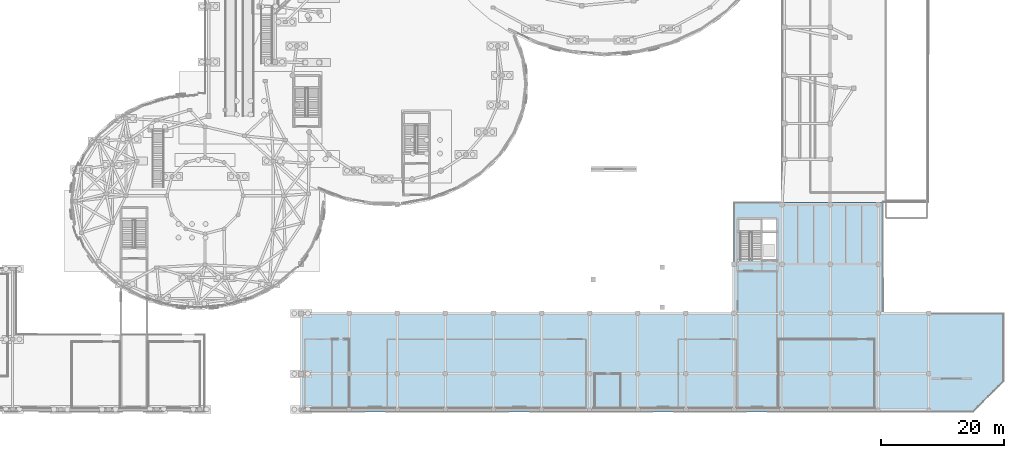
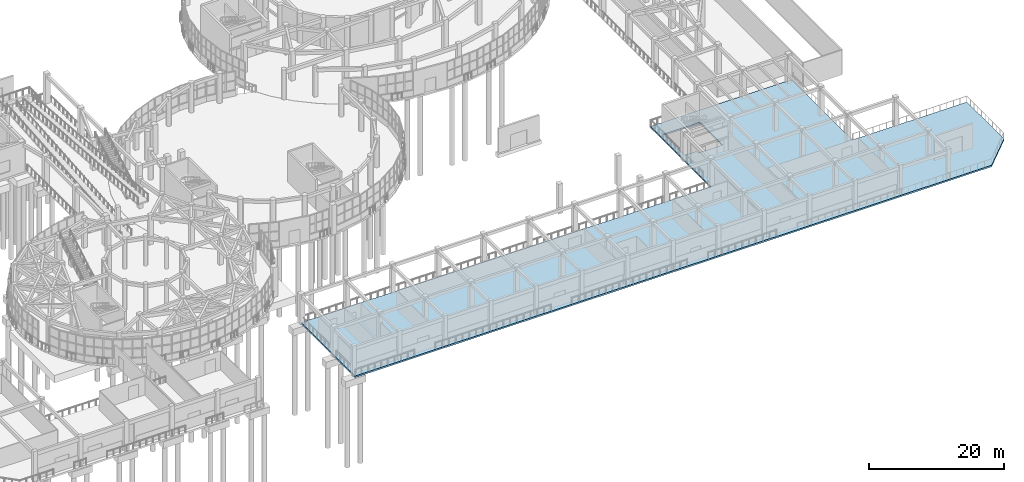
# One storey, part 61 of 96: 1 slab.
"""IFC4 building model written with IfcOpenShell, lengths in metres."""

from ifc_helpers import new_model, si_unit, direction, frame, origin, place, context, subcontext, project, spatial, polyline, outline, extrude, material, layer, layer_set, type_object, element, save


model = new_model("IFC4")

# Units and contexts
model_context = context("Model", 3, precision=1e-05, world=origin(), true_north=direction((0.0, 1.0)))
body_context = subcontext(model_context, "Body", "Model", "MODEL_VIEW")
ifc_project = project(units=[si_unit("LENGTHUNIT", "METRE"), si_unit("AREAUNIT", "SQUARE_METRE"), si_unit("VOLUMEUNIT", "CUBIC_METRE"), si_unit("PLANEANGLEUNIT", "RADIAN"), si_unit("MASSUNIT", "GRAM", prefix="KILO")], contexts=[model_context])

# Site, building, storey
site_placement = place(None, origin())
site = spatial("IfcSite", under=ifc_project, at=site_placement, CompositionType="ELEMENT")
building_placement = place(site_placement, origin())
building = spatial("IfcBuilding", under=site, at=building_placement, Name="Pelvatis Terrace Science Centre", CompositionType="ELEMENT")
storey_placement = place(building_placement, origin())
storey = spatial("IfcBuildingStorey", under=building, at=storey_placement, Name="L00", CompositionType="ELEMENT", Elevation=0.0)

# Slab
ifc_material = material(Name="Concrete C35/45", Category="concrete")
ifc_layer = layer(ifc_material, 0.280029296875)
ifc_layer_set = layer_set([ifc_layer], Name="Concrete C35/45")
slab_type = type_object("IfcSlabType", Name="SLB-FLR-280", PredefinedType="FLOOR", material=ifc_layer_set)
slab_placement = place(storey_placement, frame((0.0, 0.0, -0.280029296875)))
element("IfcSlab", 1, at=slab_placement, inside=storey, type_object=slab_type, Name="L00 South colonnade and school orientation slab", PredefinedType="FLOOR", context=body_context, shape_type="SweptSolid", body=[
    extrude(outline(polyline([(132.60009765625, 16.0), (132.60009765625, 34.0), (156.800048828125, 34.0), (156.800048828125, 16.0), (176.39990234375, 16.0), (176.39990234375, 5.0), (171.39990234375, 0.0), (62.39990234375, 0.0), (62.39990234375, 16.0), (132.60009765625, 16.0)]), holes=[polyline([(135.280029296875, 25.02001953125), (135.280029296875, 24.52001953125), (139.47998046875, 24.52001953125), (139.47998046875, 31.280029296875), (133.320068359375, 31.280029296875), (133.320068359375, 25.02001953125), (135.280029296875, 25.02001953125)])]), origin(), (0.0, 0.0, 1.0), 0.280029296875),
])

save(model, "model.ifc")
